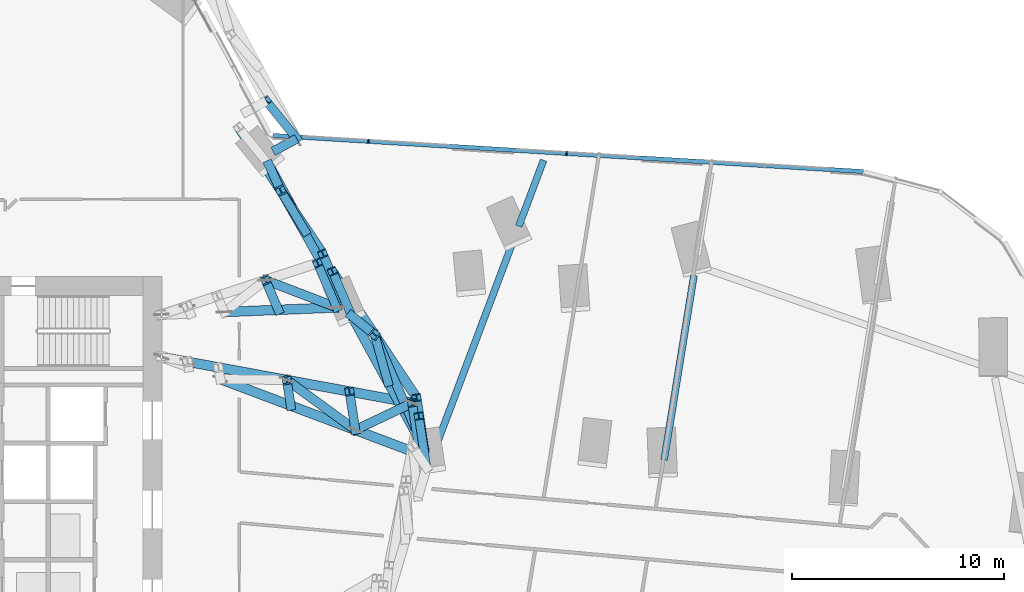
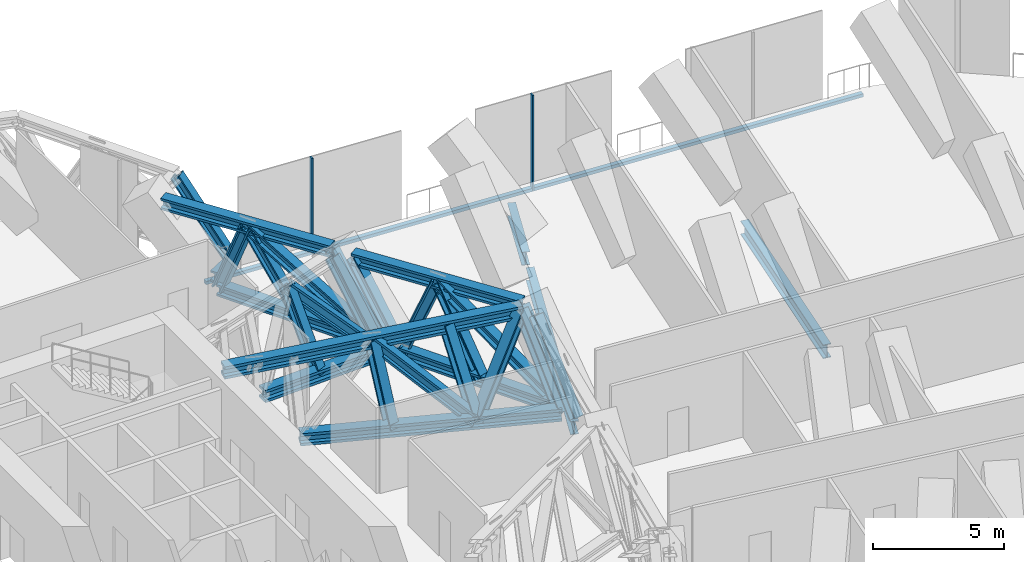
# One storey, part 16 of 39: 30 members, 3 beams, 1 element without a shape of its own.
"""IFC4 building model written with IfcOpenShell, lengths in metres."""

from ifc_helpers import new_model, si_unit, direction, frame, origin, origin_2d, place, context, subcontext, project, spatial, rectangle, i_section, extrude, material, material_profile, profile_set, type_object, element, aggregate, save


model = new_model("IFC4")

# Units and contexts
model_context = context("Model", 3, precision=1e-05, world=origin(), true_north=direction((0.0, 1.0)))
body_context = subcontext(model_context, "Body", "Model", "MODEL_VIEW")
ifc_project = project(units=[si_unit("LENGTHUNIT", "METRE"), si_unit("AREAUNIT", "SQUARE_METRE"), si_unit("VOLUMEUNIT", "CUBIC_METRE"), si_unit("PLANEANGLEUNIT", "RADIAN"), si_unit("MASSUNIT", "GRAM", prefix="KILO")], contexts=[model_context])

# Site, building, storey
site_placement = place(None, origin())
site = spatial("IfcSite", under=ifc_project, at=site_placement, CompositionType="ELEMENT")
building_placement = place(site_placement, origin())
building = spatial("IfcBuilding", under=site, at=building_placement, Name="Orlundy Tower", CompositionType="ELEMENT")
storey_placement = place(building_placement, frame((0.0, 0.0, 141.199951171875)))
storey = spatial("IfcBuildingStorey", under=building, at=storey_placement, Name="L36", CompositionType="ELEMENT", Elevation=141.199951171875)

# Members
ifc_material_1 = material(Name="Steel ASTM A992 Gr 50", Category="steel")
ifc_material_profile_1 = material_profile(ifc_material_1, i_section(OverallWidth=0.4423828125, OverallDepth=0.531494140625, WebThickness=0.06591796875, FlangeThickness=0.105712890625, at=origin_2d()), Name="W14X605")
ifc_profile_set_1 = profile_set([ifc_material_profile_1], Name="Steel ASTM A992 Gr 50")
member_type_1 = type_object("IfcMemberType", Name="BELT TRUSS chord W14X605", PredefinedType="CHORD", material=ifc_profile_set_1)
for number, where, z_axis, x_axis, name in (
    (1, (31.400390625, 3.849609375, 0.28466796875), (-0.480304022628, 0.87710207265, 0.0), (-0.87710207265, -0.480304022628, 0.0), "Belt truss bottom chord BT-13"),
    (2, (31.030029296875, 6.2744140625, 3.71533203125), (-0.554763043067, 0.832008393015, 0.0), (-0.832008393015, -0.554763043067, 0.0), "Belt truss top chord BT-13"),
):
    element("IfcMember", number, at=place(storey_placement, frame(where, z_axis=z_axis, x_axis=x_axis)), inside=storey, type_object=member_type_1, Name=name, PredefinedType="CHORD", context=body_context, shape_type="SweptSolid", body=[
        extrude(i_section(OverallWidth=0.4423828125, OverallDepth=0.531494140625, WebThickness=0.06591796875, FlangeThickness=0.105712890625, at=origin_2d()), origin(), (0.0, 0.0, 1.0), 7.171630859375),
    ])
member_1_placement = place(storey_placement, frame((27.501953125, 10.968994140625, 0.28466796875), z_axis=(-0.480213596365, 0.877151584315, 0.0), x_axis=(-0.877151584315, -0.480213596365, 0.0)))
element("IfcMember", 3, at=member_1_placement, inside=storey, type_object=member_type_1, Name="Belt truss bottom chord BT-14", PredefinedType="CHORD", context=body_context, shape_type="SweptSolid", body=[
    extrude(i_section(OverallWidth=0.4423828125, OverallDepth=0.531494140625, WebThickness=0.06591796875, FlangeThickness=0.105712890625, at=origin_2d()), origin(), (0.0, 0.0, 1.0), 7.1708984375),
])
member_2_placement = place(storey_placement, frame((26.59765625, 13.070068359375, 3.71533203125), z_axis=(-0.554849448078, 0.831950773764, 0.0), x_axis=(-0.831950773764, -0.554849448078, 0.0)))
element("IfcMember", 4, at=member_2_placement, inside=storey, type_object=member_type_1, Name="Belt truss top chord BT-14", PredefinedType="CHORD", context=body_context, shape_type="SweptSolid", body=[
    extrude(i_section(OverallWidth=0.4423828125, OverallDepth=0.531494140625, WebThickness=0.06591796875, FlangeThickness=0.105712890625, at=origin_2d()), origin(), (0.0, 0.0, 1.0), 7.171875),
])
ifc_material_2 = material(Name="Steel ASTM A992 Gr 50", Category="steel")
ifc_material_profile_2 = material_profile(ifc_material_2, i_section(OverallWidth=0.42431640625, OverallDepth=0.47412109375, WebThickness=0.0478515625, FlangeThickness=0.0771484375, at=origin_2d()), Name="W14X426")
ifc_profile_set_2 = profile_set([ifc_material_profile_2], Name="Steel ASTM A992 Gr 50")
member_type_2 = type_object("IfcMemberType", Name="BELT TRUSS diagonal W14X426", PredefinedType="BRACE", material=ifc_profile_set_2)
member_3_placement = place(storey_placement, frame((31.400390625, 3.849609375, 0.28466796875), z_axis=(-0.345712095637, 0.792365684692, 0.502632836823), x_axis=(-0.916559507901, -0.399898322673, 0.0)))
element("IfcMember", 5, at=member_3_placement, inside=storey, type_object=member_type_2, Name="Belt truss diagonal BT-13-0", PredefinedType="BRACE", context=body_context, shape_type="SweptSolid", body=[
    extrude(i_section(OverallWidth=0.42431640625, OverallDepth=0.47412109375, WebThickness=0.0478515625, FlangeThickness=0.0771484375, at=origin_2d()), origin(), (0.0, 0.0, 1.0), 6.825439453125),
])
member_4_placement = place(storey_placement, frame((29.040771484375, 9.2578125, 3.71533203125), z_axis=(-0.292862174536, 0.238098793114, -0.926034940725), x_axis=(-0.630829229923, -0.775921698804, 0.0)))
element("IfcMember", 6, at=member_4_placement, inside=storey, type_object=member_type_2, Name="Belt truss diagonal BT-13-1", PredefinedType="BRACE", context=body_context, shape_type="SweptSolid", body=[
    extrude(i_section(OverallWidth=0.42431640625, OverallDepth=0.47412109375, WebThickness=0.0478515625, FlangeThickness=0.0771484375, at=origin_2d()), origin(), (0.0, 0.0, 1.0), 3.70458984375),
])
member_5_placement = place(storey_placement, frame((27.501953125, 10.968994140625, 0.28466796875), z_axis=(-0.426718186119, 0.74969064823, 0.505841399641), x_axis=(-0.869079083795, -0.494673171003, 0.0)))
element("IfcMember", 7, at=member_5_placement, inside=storey, type_object=member_type_2, Name="Belt truss diagonal BT-14-0", PredefinedType="BRACE", context=body_context, shape_type="SweptSolid", body=[
    extrude(i_section(OverallWidth=0.42431640625, OverallDepth=0.47412109375, WebThickness=0.0478515625, FlangeThickness=0.0771484375, at=origin_2d()), origin(), (0.0, 0.0, 1.0), 6.781982421875),
])
member_6_placement = place(storey_placement, frame((24.60791015625, 16.053466796875, 3.71533203125), z_axis=(-0.149433892313, 0.327811888157, -0.932849868849), x_axis=(-0.909917893678, -0.414788412043, 0.0)))
element("IfcMember", 8, at=member_6_placement, inside=storey, type_object=member_type_2, Name="Belt truss diagonal BT-14-1", PredefinedType="BRACE", context=body_context, shape_type="SweptSolid", body=[
    extrude(i_section(OverallWidth=0.42431640625, OverallDepth=0.47412109375, WebThickness=0.0478515625, FlangeThickness=0.0771484375, at=origin_2d()), origin(), (0.0, 0.0, 1.0), 3.677734375),
])
ifc_material_3 = material(Name="Steel ASTM A992 Gr 50", Category="steel")
ifc_material_profile_3 = material_profile(ifc_material_3, i_section(OverallWidth=0.412109375, OverallDepth=0.434814453125, WebThickness=0.035888671875, FlangeThickness=0.057373046875, at=origin_2d()), Name="W14X311")
ifc_profile_set_3 = profile_set([ifc_material_profile_3], Name="Steel ASTM A992 Gr 50")
member_type_3 = type_object("IfcMemberType", Name="BELT TRUSS post W14X311", PredefinedType="POST", material=ifc_profile_set_3)
for number, where, z_axis, x_axis, name in (
    (9, (31.49462890625, 2.981689453125, 0.28466796875), (-0.087817852287, 0.574955114645, 0.813458444522), (-0.988535660526, -0.150987575213, 0.0), "Belt truss post BT-12-4"),
    (10, (31.400390625, 3.849609375, 0.28466796875), (-0.087817852287, 0.574955114645, 0.813458444522), (-0.988535660526, -0.150987575213, 0.0), "Belt truss post BT-13-0"),
):
    element("IfcMember", number, at=place(storey_placement, frame(where, z_axis=z_axis, x_axis=x_axis)), inside=storey, type_object=member_type_3, Name=name, PredefinedType="POST", context=body_context, shape_type="SweptSolid", body=[
        extrude(i_section(OverallWidth=0.412109375, OverallDepth=0.434814453125, WebThickness=0.035888671875, FlangeThickness=0.057373046875, at=origin_2d()), origin(), (0.0, 0.0, 1.0), 4.21728515625),
    ])
member_7_placement = place(storey_placement, frame((29.677978515625, 6.994873046875, 0.28466796875), z_axis=(-0.153215571028, 0.544120738642, 0.824898545625), x_axis=(-0.962567157848, -0.27104329291, 0.0)))
element("IfcMember", 11, at=member_7_placement, inside=storey, type_object=member_type_3, Name="Belt truss post BT-13-1", PredefinedType="POST", context=body_context, shape_type="SweptSolid", body=[
    extrude(i_section(OverallWidth=0.412109375, OverallDepth=0.434814453125, WebThickness=0.035888671875, FlangeThickness=0.057373046875, at=origin_2d()), origin(), (0.0, 0.0, 1.0), 4.158935546875),
])
member_8_placement = place(storey_placement, frame((27.955810546875, 10.139892578125, 0.28466796875), z_axis=(-0.219306485999, 0.509603381477, 0.831991020857), x_axis=(-0.918553347583, -0.395297037231, 0.0)))
element("IfcMember", 12, at=member_8_placement, inside=storey, type_object=member_type_3, Name="Belt truss post BT-13-2", PredefinedType="POST", context=body_context, shape_type="SweptSolid", body=[
    extrude(i_section(OverallWidth=0.412109375, OverallDepth=0.434814453125, WebThickness=0.035888671875, FlangeThickness=0.057373046875, at=origin_2d()), origin(), (0.0, 0.0, 1.0), 4.12353515625),
])
member_9_placement = place(storey_placement, frame((27.501953125, 10.968994140625, 0.28466796875), z_axis=(-0.219313102962, 0.50955954754, 0.83201612387), x_axis=(-0.918536668831, -0.395335791465, 0.0)))
element("IfcMember", 13, at=member_9_placement, inside=storey, type_object=member_type_3, Name="Belt truss post BT-14-0", PredefinedType="POST", context=body_context, shape_type="SweptSolid", body=[
    extrude(i_section(OverallWidth=0.412109375, OverallDepth=0.434814453125, WebThickness=0.035888671875, FlangeThickness=0.057373046875, at=origin_2d()), origin(), (0.0, 0.0, 1.0), 4.123291015625),
])
member_10_placement = place(storey_placement, frame((25.7802734375, 14.114013671875, 0.28466796875), z_axis=(-0.285134565266, 0.471701163363, 0.834383779907), x_axis=(-0.855796315495, -0.517312928878, 0.0)))
element("IfcMember", 14, at=member_10_placement, inside=storey, type_object=member_type_3, Name="Belt truss post BT-14-1", PredefinedType="POST", context=body_context, shape_type="SweptSolid", body=[
    extrude(i_section(OverallWidth=0.412109375, OverallDepth=0.434814453125, WebThickness=0.035888671875, FlangeThickness=0.057373046875, at=origin_2d()), origin(), (0.0, 0.0, 1.0), 4.111572265625),
])
member_11_placement = place(storey_placement, frame((25.36962890625, 18.5029296875, 0.28466796875), z_axis=(-0.349209298449, 0.43109408308, 0.831992041675), x_axis=(-0.777043520905, -0.629446873548, 0.0)))
element("IfcMember", 15, at=member_11_placement, inside=storey, type_object=member_type_3, Name="Belt truss post BT-15A-0", PredefinedType="POST", context=body_context, shape_type="SweptSolid", body=[
    extrude(i_section(OverallWidth=0.412109375, OverallDepth=0.434814453125, WebThickness=0.035888671875, FlangeThickness=0.057373046875, at=origin_2d()), origin(), (0.0, 0.0, 1.0), 4.12353515625),
])
ifc_material_4 = material(Name="Steel ASTM A992 Gr 50", Category="steel")
ifc_material_profile_4 = material_profile(ifc_material_4, i_section(OverallWidth=0.43212890625, OverallDepth=0.497802734375, WebThickness=0.0556640625, FlangeThickness=0.0888671875, at=origin_2d()), Name="W14X500")
ifc_profile_set_4 = profile_set([ifc_material_profile_4], Name="Steel ASTM A992 Gr 50")
member_type_4 = type_object("IfcMemberType", Name="BELT TRUSS strut W14X500", PredefinedType="STRUT", material=ifc_profile_set_4)
member_12_placement = place(storey_placement, frame((24.247314453125, 17.897705078125, 0.28466796875), z_axis=(0.880175823573, 0.474647784781, 0.0), x_axis=(-0.474647784781, 0.880175823573, 0.0)))
element("IfcMember", 16, at=member_12_placement, inside=storey, type_object=member_type_4, Name="Belt truss bracket C-H02", PredefinedType="STRUT", context=body_context, shape_type="SweptSolid", body=[
    extrude(i_section(OverallWidth=0.43212890625, OverallDepth=0.497802734375, WebThickness=0.0556640625, FlangeThickness=0.0888671875, at=origin_2d()), origin(), (0.0, 0.0, 1.0), 1.275146484375),
])

# Beams
ifc_material_5 = material(Name="Steel ASTM A992 Gr 50", Category="steel")
ifc_material_profile_5 = material_profile(ifc_material_5, i_section(OverallWidth=0.32373046875, OverallDepth=0.611083984375, WebThickness=0.0126953125, FlangeThickness=0.01904296875, at=origin_2d()), Name="W24X104")
ifc_profile_set_5 = profile_set([ifc_material_profile_5], Name="Steel ASTM A992 Gr 50")
beam_type_1 = type_object("IfcBeamType", Name="CANTILEVER GIRDER beam W24X104", PredefinedType="BEAM", material=ifc_profile_set_5)
beam_1_placement = place(storey_placement, frame((37.02001953125, 17.48583984375, -0.755615234375), z_axis=(-0.35211081617, -0.935958318055, 0.0), x_axis=(0.935958318055, -0.35211081617, 0.0)))
element("IfcBeam", 17, at=beam_1_placement, inside=storey, type_object=beam_type_1, Name="Cantilever girder C-A5-1 L36", PredefinedType="BEAM", context=body_context, shape_type="SweptSolid", body=[
    extrude(i_section(OverallWidth=0.32373046875, OverallDepth=0.611083984375, WebThickness=0.0126953125, FlangeThickness=0.01904296875, at=origin_2d()), origin(), (0.0, 0.0, 1.0), 3.332275390625),
])
beam_2_placement = place(storey_placement, frame((35.491455078125, 13.423095703125, -0.755615234375), z_axis=(-0.352137550283, -0.935948260152, 0.0), x_axis=(0.935948260152, -0.352137550283, 0.0)))
element("IfcBeam", 18, at=beam_2_placement, inside=storey, type_object=beam_type_1, Name="Back-span girder C-A5-1 L36", PredefinedType="BEAM", context=body_context, shape_type="SweptSolid", body=[
    extrude(i_section(OverallWidth=0.32373046875, OverallDepth=0.611083984375, WebThickness=0.0126953125, FlangeThickness=0.01904296875, at=origin_2d()), origin(), (0.0, 0.0, 1.0), 10.366455078125),
])
ifc_material_6 = material(Name="Steel ASTM A992 Gr 50", Category="steel")
ifc_material_profile_6 = material_profile(ifc_material_6, i_section(OverallWidth=0.3291015625, OverallDepth=0.635009765625, WebThickness=0.017822265625, FlangeThickness=0.031005859375, at=origin_2d()), Name="W24X162")
ifc_profile_set_6 = profile_set([ifc_material_profile_6], Name="Steel ASTM A992 Gr 50")
beam_type_2 = type_object("IfcBeamType", Name="CANTILEVER GIRDER beam W24X162", PredefinedType="BEAM", material=ifc_profile_set_6)
beam_3_placement = place(storey_placement, frame((44.1162109375, 12.049560546875, -0.767333984375), z_axis=(-0.159295074414, -0.98723101616, 0.0), x_axis=(0.98723101616, -0.159295074414, 0.0)))
element("IfcBeam", 19, at=beam_3_placement, inside=storey, type_object=beam_type_2, Name="Back-span girder C-A5-2 L36", PredefinedType="BEAM", context=body_context, shape_type="SweptSolid", body=[
    extrude(i_section(OverallWidth=0.3291015625, OverallDepth=0.635009765625, WebThickness=0.017822265625, FlangeThickness=0.031005859375, at=origin_2d()), origin(), (0.0, 0.0, 1.0), 8.8232421875),
])

# Curtain wall, members
ifc_material_7 = material(Name="Aluminium bronze anodised", Category="aluminium")
curtain_wall_type = type_object("IfcCurtainWallType", Name="CW4 wall", PredefinedType="NOTDEFINED", material=ifc_material_7)
curtain_wall_placement = place(storey_placement, origin())
curtain_wall = element("IfcCurtainWall", 20, at=curtain_wall_placement, inside=storey, type_object=curtain_wall_type, Name="CW4 run 029", PredefinedType="NOTDEFINED")
ifc_material_8 = material(Name="Aluminium bronze anodised", Category="aluminium")
ifc_material_profile_7 = material_profile(ifc_material_8, rectangle(XDim=0.199951171875, YDim=0.06005859375, at=origin_2d()), Name="CW4 mullion 60x200")
ifc_profile_set_7 = profile_set([ifc_material_profile_7], Name="Aluminium bronze anodised")
member_type_5 = type_object("IfcMemberType", Name="CW4 mullion 60x200", PredefinedType="MULLION", material=ifc_profile_set_7)
member_13_placement = place(storey_placement, frame((28.754638671875, 18.37890625, -0.449951171875), z_axis=(0.0, 0.0, 1.0), x_axis=(0.061055806908, 0.998134353904, 0.0)))
member_13 = element("IfcMember", 21, at=member_13_placement, type_object=member_type_5, Name="CW4 mullion 51", PredefinedType="MULLION", context=body_context, shape_type="SweptSolid", body=[
    extrude(rectangle(XDim=0.199951171875, YDim=0.06005859375, at=origin_2d()), origin(), (0.0, 0.0, 1.0), 4.449951171875),
])
member_14_placement = place(storey_placement, frame((38.105712890625, 17.806884765625, -0.449951171875), z_axis=(0.0, 0.0, 1.0), x_axis=(0.061055806908, 0.998134353904, 0.0)))
member_14 = element("IfcMember", 22, at=member_14_placement, type_object=member_type_5, Name="CW4 mullion 53", PredefinedType="MULLION", context=body_context, shape_type="SweptSolid", body=[
    extrude(rectangle(XDim=0.199951171875, YDim=0.06005859375, at=origin_2d()), origin(), (0.0, 0.0, 1.0), 4.449951171875),
])
ifc_material_9 = material(Name="Aluminium bronze anodised", Category="aluminium")
ifc_material_profile_8 = material_profile(ifc_material_9, rectangle(XDim=0.199951171875, YDim=0.14990234375, at=origin_2d()), Name="CW4 transom 200x150")
ifc_profile_set_8 = profile_set([ifc_material_profile_8], Name="Aluminium bronze anodised")
member_type_6 = type_object("IfcMemberType", Name="CW4 transom 200x150", PredefinedType="USERDEFINED", material=ifc_profile_set_8)
member_15_placement = place(storey_placement, frame((24.234375, 18.6552734375, -0.375), z_axis=(0.998134220424, -0.06105798898, 0.0), x_axis=(0.06105798898, 0.998134220424, 0.0)))
member_15 = element("IfcMember", 23, at=member_15_placement, type_object=member_type_6, Name="CW4 transom", ObjectType="TRANSOM", PredefinedType="USERDEFINED", context=body_context, shape_type="SweptSolid", body=[
    extrude(rectangle(XDim=0.199951171875, YDim=0.14990234375, at=origin_2d()), origin(), (0.0, 0.0, 1.0), 27.929443359375),
])
aggregate(curtain_wall, [member_13, member_14, member_15])

# Members
ifc_material_10 = material(Name="Steel ASTM A992 Gr 50", Category="steel")
ifc_material_profile_9 = material_profile(ifc_material_10, i_section(OverallWidth=0.454345703125, OverallDepth=0.569580078125, WebThickness=0.077880859375, FlangeThickness=0.124755859375, at=origin_2d()), Name="W14X730")
ifc_profile_set_9 = profile_set([ifc_material_profile_9], Name="Steel ASTM A992 Gr 50")
member_type_7 = type_object("IfcMemberType", Name="OUTRIGGER TRUSS chord W14X730", PredefinedType="CHORD", material=ifc_profile_set_9)
member_16_placement = place(storey_placement, frame((21.753662109375, 7.155029296875, 0.28466796875), z_axis=(0.935791509422, -0.352553897857, 0.0), x_axis=(0.352553897857, 0.935791509422, 0.0)))
element("IfcMember", 24, at=member_16_placement, inside=storey, type_object=member_type_7, Name="Outrigger truss bottom chord OR-E-C-H042", PredefinedType="CHORD", context=body_context, shape_type="SweptSolid", body=[
    extrude(i_section(OverallWidth=0.454345703125, OverallDepth=0.569580078125, WebThickness=0.077880859375, FlangeThickness=0.124755859375, at=origin_2d()), origin(), (0.0, 0.0, 1.0), 10.07861328125),
])
member_17_placement = place(storey_placement, frame((18.97998046875, 8.199951171875, 3.71533203125), z_axis=(0.983552830897, -0.180620676651, 0.0), x_axis=(0.180620676651, 0.983552830897, 0.0)))
element("IfcMember", 25, at=member_17_placement, inside=storey, type_object=member_type_7, Name="Outrigger truss top chord OR-E-C-H04", PredefinedType="CHORD", context=body_context, shape_type="SweptSolid", body=[
    extrude(i_section(OverallWidth=0.454345703125, OverallDepth=0.569580078125, WebThickness=0.077880859375, FlangeThickness=0.124755859375, at=origin_2d()), origin(), (0.0, 0.0, 1.0), 12.03271484375),
])
member_18_placement = place(storey_placement, frame((21.942626953125, 10.320068359375, 0.28466796875), z_axis=(0.999180072167, 0.040486829772, 0.0), x_axis=(-0.040486829772, 0.999180072167, 0.0)))
element("IfcMember", 26, at=member_18_placement, inside=storey, type_object=member_type_7, Name="Outrigger truss bottom chord OR-E-C-H032", PredefinedType="CHORD", context=body_context, shape_type="SweptSolid", body=[
    extrude(i_section(OverallWidth=0.454345703125, OverallDepth=0.569580078125, WebThickness=0.077880859375, FlangeThickness=0.124755859375, at=origin_2d()), origin(), (0.0, 0.0, 1.0), 5.318603515625),
])
ifc_material_11 = material(Name="Steel ASTM A992 Gr 50", Category="steel")
ifc_material_profile_10 = material_profile(ifc_material_11, i_section(OverallWidth=0.43212890625, OverallDepth=0.497802734375, WebThickness=0.0556640625, FlangeThickness=0.0888671875, at=origin_2d()), Name="W14X500")
ifc_profile_set_10 = profile_set([ifc_material_profile_10], Name="Steel ASTM A992 Gr 50")
member_type_8 = type_object("IfcMemberType", Name="OUTRIGGER TRUSS diagonal W14X500", PredefinedType="BRACE", material=ifc_profile_set_10)
member_19_placement = place(storey_placement, frame((24.8974609375, 7.11328125, 3.71533203125), z_axis=(0.613567925267, -0.447771281611, -0.650411623857), x_axis=(0.589497010911, 0.807770557849, 0.0)))
element("IfcMember", 27, at=member_19_placement, inside=storey, type_object=member_type_8, Name="Outrigger truss diagonal OR-E-C-H04-3", PredefinedType="BRACE", context=body_context, shape_type="SweptSolid", body=[
    extrude(i_section(OverallWidth=0.43212890625, OverallDepth=0.497802734375, WebThickness=0.0556640625, FlangeThickness=0.0888671875, at=origin_2d()), origin(), (0.0, 0.0, 1.0), 5.274658203125),
])
member_20_placement = place(storey_placement, frame((28.1337890625, 4.75146484375, 0.28466796875), z_axis=(0.590922499481, 0.281066224824, 0.756182766843), x_axis=(-0.429528124367, 0.903053481461, 0.0)))
element("IfcMember", 28, at=member_20_placement, inside=storey, type_object=member_type_8, Name="Outrigger truss diagonal OR-E-C-H04-4", PredefinedType="BRACE", context=body_context, shape_type="SweptSolid", body=[
    extrude(i_section(OverallWidth=0.43212890625, OverallDepth=0.497802734375, WebThickness=0.0556640625, FlangeThickness=0.0888671875, at=origin_2d()), origin(), (0.0, 0.0, 1.0), 4.536865234375),
])
member_21_placement = place(storey_placement, frame((23.89501953125, 11.82421875, 3.71533203125), z_axis=(0.675992035901, -0.259154826254, -0.689835881516), x_axis=(0.357965572324, 0.933734785167, 0.0)))
element("IfcMember", 29, at=member_21_placement, inside=storey, type_object=member_type_8, Name="Outrigger truss diagonal OR-E-C-H03-3", PredefinedType="BRACE", context=body_context, shape_type="SweptSolid", body=[
    extrude(i_section(OverallWidth=0.43212890625, OverallDepth=0.497802734375, WebThickness=0.0556640625, FlangeThickness=0.0888671875, at=origin_2d()), origin(), (0.0, 0.0, 1.0), 4.97314453125),
])
ifc_material_12 = material(Name="Steel ASTM A992 Gr 50", Category="steel")
ifc_material_profile_11 = material_profile(ifc_material_12, i_section(OverallWidth=0.41845703125, OverallDepth=0.455078125, WebThickness=0.0419921875, FlangeThickness=0.067626953125, at=origin_2d()), Name="W14X370")
ifc_profile_set_11 = profile_set([ifc_material_profile_11], Name="Steel ASTM A992 Gr 50")
member_type_9 = type_object("IfcMemberType", Name="OUTRIGGER TRUSS post W14X370", PredefinedType="POST", material=ifc_profile_set_11)
member_22_placement = place(storey_placement, frame((25.08251953125, 5.90087890625, 0.28466796875), z_axis=(-0.050794247895, 0.332776035679, 0.941636901602), x_axis=(-0.988550511529, -0.150890311667, 0.0)))
element("IfcMember", 30, at=member_22_placement, inside=storey, type_object=member_type_9, Name="Outrigger truss post OR-E-C-H04-3", PredefinedType="POST", context=body_context, shape_type="SweptSolid", body=[
    extrude(i_section(OverallWidth=0.41845703125, OverallDepth=0.455078125, WebThickness=0.0419921875, FlangeThickness=0.067626953125, at=origin_2d()), origin(), (0.0, 0.0, 1.0), 3.643310546875),
])
member_23_placement = place(storey_placement, frame((28.1337890625, 4.75146484375, 0.28466796875), z_axis=(-0.071310263243, 0.467122990881, 0.881312066039), x_axis=(-0.988547489428, -0.15091010949, 0.0)))
element("IfcMember", 31, at=member_23_placement, inside=storey, type_object=member_type_9, Name="Outrigger truss post OR-E-C-H04-4", PredefinedType="POST", context=body_context, shape_type="SweptSolid", body=[
    extrude(i_section(OverallWidth=0.41845703125, OverallDepth=0.455078125, WebThickness=0.0419921875, FlangeThickness=0.067626953125, at=origin_2d()), origin(), (0.0, 0.0, 1.0), 3.892578125),
])
member_24_placement = place(storey_placement, frame((31.18505859375, 3.601806640625, 0.28466796875), z_axis=(-0.087817852287, 0.574955114645, 0.813458444522), x_axis=(-0.988535660526, -0.150987575213, 0.0)))
element("IfcMember", 32, at=member_24_placement, inside=storey, type_object=member_type_9, Name="Outrigger truss post OR-E-C-H04-5", PredefinedType="POST", context=body_context, shape_type="SweptSolid", body=[
    extrude(i_section(OverallWidth=0.41845703125, OverallDepth=0.455078125, WebThickness=0.0419921875, FlangeThickness=0.067626953125, at=origin_2d()), origin(), (0.0, 0.0, 1.0), 4.21728515625),
])
member_25_placement = place(storey_placement, frame((24.497802734375, 10.423583984375, 0.28466796875), z_axis=(-0.160559147388, 0.373077289819, 0.913802000442), x_axis=(-0.918547707485, -0.395310142893, 0.0)))
element("IfcMember", 33, at=member_25_placement, inside=storey, type_object=member_type_9, Name="Outrigger truss post OR-E-C-H03-3", PredefinedType="POST", context=body_context, shape_type="SweptSolid", body=[
    extrude(i_section(OverallWidth=0.41845703125, OverallDepth=0.455078125, WebThickness=0.0419921875, FlangeThickness=0.067626953125, at=origin_2d()), origin(), (0.0, 0.0, 1.0), 3.75439453125),
])
member_26_placement = place(storey_placement, frame((27.2568359375, 10.535400390625, 0.28466796875), z_axis=(-0.219369463778, 0.509552929898, 0.832005318489), x_axis=(-0.918497908371, -0.395425836685, 0.0)))
element("IfcMember", 34, at=member_26_placement, inside=storey, type_object=member_type_9, Name="Outrigger truss post OR-E-C-H03-4", PredefinedType="POST", context=body_context, shape_type="SweptSolid", body=[
    extrude(i_section(OverallWidth=0.41845703125, OverallDepth=0.455078125, WebThickness=0.0419921875, FlangeThickness=0.067626953125, at=origin_2d()), origin(), (0.0, 0.0, 1.0), 4.123291015625),
])

save(model, "model.ifc")
